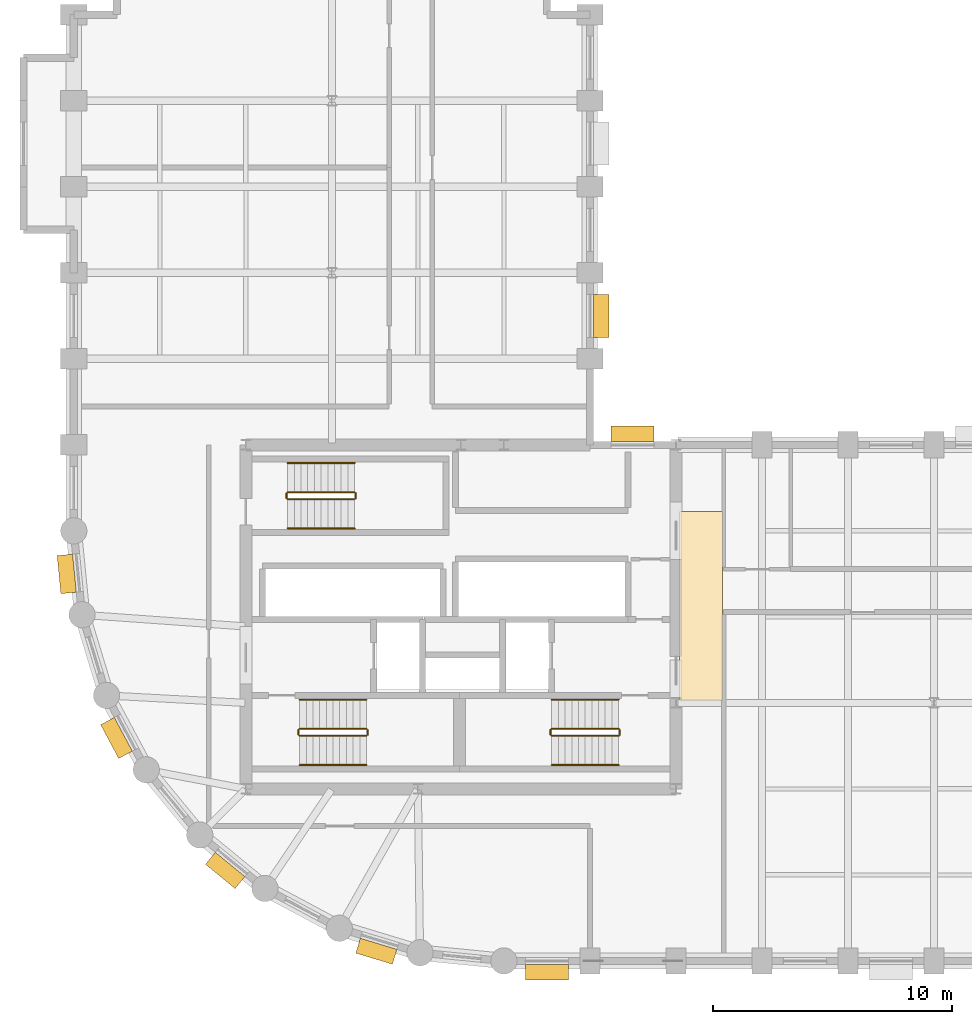
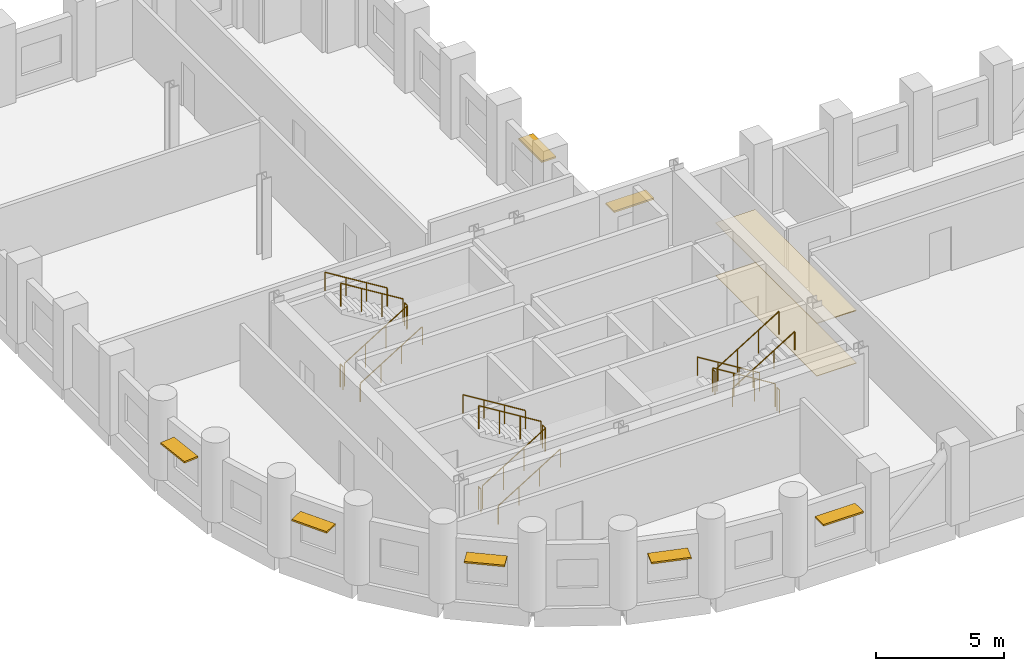
# One storey, part 7 of 8: 18 railings, 7 shading devices, 2 coverings.
"""IFC4 building model written with IfcOpenShell, lengths in metres."""

from ifc_helpers import new_model, si_unit, direction, frame, origin, origin_2d, place, context, subcontext, project, spatial, polyline, rectangle, circle, outline, extrude, material, layer, layer_set, type_object, element, save


model = new_model("IFC4")

# Units and contexts
model_context = context("Model", 3, precision=1e-05, world=origin(), true_north=direction((0.0, 1.0)))
body_context = subcontext(model_context, "Body", "Model", "MODEL_VIEW")
ifc_project = project(units=[si_unit("LENGTHUNIT", "METRE"), si_unit("AREAUNIT", "SQUARE_METRE"), si_unit("VOLUMEUNIT", "CUBIC_METRE"), si_unit("PLANEANGLEUNIT", "RADIAN"), si_unit("MASSUNIT", "GRAM", prefix="KILO")], contexts=[model_context])

# Site, building, storey
site_placement = place(None, origin())
site = spatial("IfcSite", under=ifc_project, at=site_placement, CompositionType="ELEMENT")
building_placement = place(site_placement, origin())
building = spatial("IfcBuilding", under=site, at=building_placement, Name="Solnavia Interchange Tower", CompositionType="ELEMENT")
storey_placement = place(building_placement, frame((0.0, 0.0, 120.0)))
storey = spatial("IfcBuildingStorey", under=building, at=storey_placement, Name="L29", CompositionType="ELEMENT", Elevation=120.0)

# Coverings
ifc_material_1 = material(Name="Perforated Mineral-Fibre & Gypsum Ceiling", Category="gypsum")
ifc_layer_1 = layer(ifc_material_1, 0.0400390625)
ifc_layer_set_1 = layer_set([ifc_layer_1], Name="Perforated Mineral-Fibre & Gypsum Ceiling")
covering_type_1 = type_object("IfcCoveringType", Name="Covering-Ceiling-Acoustic40", PredefinedType="CEILING", material=ifc_layer_set_1)
covering_1_placement = place(storey_placement, frame((0.0, 0.0, 2.5)))
element("IfcCovering", 1, at=covering_1_placement, inside=storey, type_object=covering_type_1, Name="CLG-L29-01 Circulation suspended acoustic ceiling", PredefinedType="CEILING", context=body_context, shape_type="SweptSolid", body=[
    extrude(outline(polyline([(32.550048828125, 14.5), (34.35009765625, 14.5), (34.35009765625, 22.39990234375), (32.550048828125, 22.39990234375), (32.550048828125, 14.5)])), origin(), (0.0, 0.0, 1.0), 0.0400390625),
])
ifc_material_2 = material(Name="Polished Alicante Stone Terrazzo", Category="masonry")
ifc_layer_2 = layer(ifc_material_2, 0.02490234375)
ifc_layer_set_2 = layer_set([ifc_layer_2], Name="Polished Alicante Stone Terrazzo")
covering_type_2 = type_object("IfcCoveringType", Name="Covering-Flooring-Terrazzo25", PredefinedType="FLOORING", material=ifc_layer_set_2)
covering_2_placement = place(storey_placement, origin())
element("IfcCovering", 2, at=covering_2_placement, inside=storey, type_object=covering_type_2, Name="FLR-L29-01 Circulation floor finish", PredefinedType="FLOORING", context=body_context, shape_type="SweptSolid", body=[
    extrude(outline(polyline([(32.550048828125, 14.5), (34.35009765625, 14.5), (34.35009765625, 22.39990234375), (32.550048828125, 22.39990234375), (32.550048828125, 14.5)])), origin(), (0.0, 0.0, 1.0), 0.02490234375),
])

# Railings
ifc_material_3 = material(Name="Painted Steel Balustrade", Category="steel")
railing_type_1 = type_object("IfcRailingType", Name="Railing-StairGuard-1100", PredefinedType="GUARDRAIL", material=ifc_material_3)
railing_1_placement = place(storey_placement, frame((16.64990234375, 13.02001953125, 0.172607421875)))
element("IfcRailing", 3, at=railing_1_placement, inside=storey, type_object=railing_type_1, Name="L29 ST-1 stair guard 1", PredefinedType="GUARDRAIL", context=body_context, shape_type="SweptSolid", body=[
    extrude(circle(Radius=0.02392578125, at=origin_2d()), frame((0.0, 0.0, 1.09619140625), z_axis=(0.851089632645, 0.0, 0.525020415988), x_axis=(0.0, 1.0, 0.0)), (0.0, 0.0, 1.0), 3.2900390625),
    extrude(circle(Radius=0.02099609375, at=origin_2d()), origin(), (0.0, 0.0, 1.0), 1.072021484375),
    extrude(circle(Radius=0.02099609375, at=origin_2d()), frame((0.933349609375, 0.0, 0.57568359375)), (0.0, 0.0, 1.0), 1.072021484375),
    extrude(circle(Radius=0.02099609375, at=origin_2d()), frame((1.86669921875, 0.0, 1.151611328125)), (0.0, 0.0, 1.0), 1.072021484375),
    extrude(circle(Radius=0.02099609375, at=origin_2d()), frame((2.800048828125, 0.0, 1.727294921875)), (0.0, 0.0, 1.0), 1.072021484375),
])
railing_2_placement = place(storey_placement, frame((19.5, 13.070068359375, 1.89990234375)))
element("IfcRailing", 4, at=railing_2_placement, inside=storey, type_object=railing_type_1, Name="L29 ST-1 stair guard 2", PredefinedType="GUARDRAIL", context=body_context, shape_type="SweptSolid", body=[
    extrude(circle(Radius=0.02392578125, at=origin_2d()), frame((0.0, 0.0, 1.09619140625), z_axis=(0.0, 1.0, 0.0), x_axis=(-1.0, 0.0, 0.0)), (0.0, 0.0, 1.0), 0.199951171875),
    extrude(circle(Radius=0.02099609375, at=origin_2d()), origin(), (0.0, 0.0, 1.0), 1.072021484375),
    extrude(circle(Radius=0.02099609375, at=origin_2d()), frame((0.0, 0.199951171875, 0.0)), (0.0, 0.0, 1.0), 1.072021484375),
])
railing_3_placement = place(storey_placement, frame((19.449951171875, 13.320068359375, 2.07275390625)))
element("IfcRailing", 5, at=railing_3_placement, inside=storey, type_object=railing_type_1, Name="L29 ST-1 stair guard 3", PredefinedType="GUARDRAIL", context=body_context, shape_type="SweptSolid", body=[
    extrude(circle(Radius=0.02392578125, at=origin_2d()), frame((0.0, 0.0, 1.09619140625), z_axis=(-0.851089632645, 0.0, 0.525020415988), x_axis=(0.0, -1.0, 0.0)), (0.0, 0.0, 1.0), 3.2900390625),
    extrude(circle(Radius=0.02099609375, at=origin_2d()), origin(), (0.0, 0.0, 1.0), 1.072021484375),
    extrude(circle(Radius=0.02099609375, at=origin_2d()), frame((-0.933349609375, 0.0, 0.57568359375)), (0.0, 0.0, 1.0), 1.072021484375),
    extrude(circle(Radius=0.02099609375, at=origin_2d()), frame((-1.86669921875, 0.0, 1.151611328125)), (0.0, 0.0, 1.0), 1.072021484375),
    extrude(circle(Radius=0.02099609375, at=origin_2d()), frame((-2.800048828125, 0.0, 1.727294921875)), (0.0, 0.0, 1.0), 1.072021484375),
])
railing_4_placement = place(storey_placement, frame((16.60009765625, 13.070068359375, 0.0)))
element("IfcRailing", 6, at=railing_4_placement, inside=storey, type_object=railing_type_1, Name="L29 ST-1 stair guard 4", PredefinedType="GUARDRAIL", context=body_context, shape_type="SweptSolid", body=[
    extrude(circle(Radius=0.02392578125, at=origin_2d()), frame((0.0, 0.0, 1.09619140625), z_axis=(0.0, 1.0, 0.0), x_axis=(-1.0, 0.0, 0.0)), (0.0, 0.0, 1.0), 0.199951171875),
    extrude(circle(Radius=0.02099609375, at=origin_2d()), origin(), (0.0, 0.0, 1.0), 1.072021484375),
    extrude(circle(Radius=0.02099609375, at=origin_2d()), frame((0.0, 0.199951171875, 0.0)), (0.0, 0.0, 1.0), 1.072021484375),
])
railing_5_placement = place(storey_placement, frame((30.0, 13.320068359375, 0.172607421875)))
element("IfcRailing", 7, at=railing_5_placement, inside=storey, type_object=railing_type_1, Name="L29 ST-2 stair guard 1", PredefinedType="GUARDRAIL", context=body_context, shape_type="SweptSolid", body=[
    extrude(circle(Radius=0.02392578125, at=origin_2d()), frame((0.0, 0.0, 1.09619140625), z_axis=(-0.851089632645, 0.0, 0.525020415988), x_axis=(0.0, -1.0, 0.0)), (0.0, 0.0, 1.0), 3.2900390625),
    extrude(circle(Radius=0.02099609375, at=origin_2d()), origin(), (0.0, 0.0, 1.0), 1.072021484375),
    extrude(circle(Radius=0.02099609375, at=origin_2d()), frame((-0.933349609375, 0.0, 0.57568359375)), (0.0, 0.0, 1.0), 1.072021484375),
    extrude(circle(Radius=0.02099609375, at=origin_2d()), frame((-1.86669921875, 0.0, 1.151611328125)), (0.0, 0.0, 1.0), 1.072021484375),
    extrude(circle(Radius=0.02099609375, at=origin_2d()), frame((-2.800048828125, 0.0, 1.727294921875)), (0.0, 0.0, 1.0), 1.072021484375),
])
railing_6_placement = place(storey_placement, frame((27.14990234375, 13.27001953125, 1.89990234375)))
element("IfcRailing", 8, at=railing_6_placement, inside=storey, type_object=railing_type_1, Name="L29 ST-2 stair guard 2", PredefinedType="GUARDRAIL", context=body_context, shape_type="SweptSolid", body=[
    extrude(circle(Radius=0.02392578125, at=origin_2d()), frame((0.0, 0.0, 1.09619140625), z_axis=(0.0, -1.0, 0.0), x_axis=(1.0, 0.0, 0.0)), (0.0, 0.0, 1.0), 0.199951171875),
    extrude(circle(Radius=0.02099609375, at=origin_2d()), origin(), (0.0, 0.0, 1.0), 1.072021484375),
    extrude(circle(Radius=0.02099609375, at=origin_2d()), frame((0.0, -0.199951171875, 0.0)), (0.0, 0.0, 1.0), 1.072021484375),
])
railing_7_placement = place(storey_placement, frame((27.199951171875, 13.02001953125, 2.07275390625)))
element("IfcRailing", 9, at=railing_7_placement, inside=storey, type_object=railing_type_1, Name="L29 ST-2 stair guard 3", PredefinedType="GUARDRAIL", context=body_context, shape_type="SweptSolid", body=[
    extrude(circle(Radius=0.02392578125, at=origin_2d()), frame((0.0, 0.0, 1.09619140625), z_axis=(0.851089632645, 0.0, 0.525020415988), x_axis=(0.0, 1.0, 0.0)), (0.0, 0.0, 1.0), 3.2900390625),
    extrude(circle(Radius=0.02099609375, at=origin_2d()), origin(), (0.0, 0.0, 1.0), 1.072021484375),
    extrude(circle(Radius=0.02099609375, at=origin_2d()), frame((0.933349609375, 0.0, 0.57568359375)), (0.0, 0.0, 1.0), 1.072021484375),
    extrude(circle(Radius=0.02099609375, at=origin_2d()), frame((1.86669921875, 0.0, 1.151611328125)), (0.0, 0.0, 1.0), 1.072021484375),
    extrude(circle(Radius=0.02099609375, at=origin_2d()), frame((2.800048828125, 0.0, 1.727294921875)), (0.0, 0.0, 1.0), 1.072021484375),
])
railing_8_placement = place(storey_placement, frame((30.050048828125, 13.27001953125, 0.0)))
element("IfcRailing", 10, at=railing_8_placement, inside=storey, type_object=railing_type_1, Name="L29 ST-2 stair guard 4", PredefinedType="GUARDRAIL", context=body_context, shape_type="SweptSolid", body=[
    extrude(circle(Radius=0.02392578125, at=origin_2d()), frame((0.0, 0.0, 1.09619140625), z_axis=(0.0, -1.0, 0.0), x_axis=(1.0, 0.0, 0.0)), (0.0, 0.0, 1.0), 0.199951171875),
    extrude(circle(Radius=0.02099609375, at=origin_2d()), origin(), (0.0, 0.0, 1.0), 1.072021484375),
    extrude(circle(Radius=0.02099609375, at=origin_2d()), frame((0.0, -0.199951171875, 0.0)), (0.0, 0.0, 1.0), 1.072021484375),
])
railing_9_placement = place(storey_placement, frame((16.14990234375, 22.919921875, 0.172607421875)))
element("IfcRailing", 11, at=railing_9_placement, inside=storey, type_object=railing_type_1, Name="L29 ST-3 stair guard 1", PredefinedType="GUARDRAIL", context=body_context, shape_type="SweptSolid", body=[
    extrude(circle(Radius=0.02392578125, at=origin_2d()), frame((0.0, 0.0, 1.09619140625), z_axis=(0.851089632645, 0.0, 0.525020415988), x_axis=(0.0, 1.0, 0.0)), (0.0, 0.0, 1.0), 3.2900390625),
    extrude(circle(Radius=0.02099609375, at=origin_2d()), origin(), (0.0, 0.0, 1.0), 1.072021484375),
    extrude(circle(Radius=0.02099609375, at=origin_2d()), frame((0.933349609375, 0.0, 0.57568359375)), (0.0, 0.0, 1.0), 1.072021484375),
    extrude(circle(Radius=0.02099609375, at=origin_2d()), frame((1.86669921875, 0.0, 1.151611328125)), (0.0, 0.0, 1.0), 1.072021484375),
    extrude(circle(Radius=0.02099609375, at=origin_2d()), frame((2.800048828125, 0.0, 1.727294921875)), (0.0, 0.0, 1.0), 1.072021484375),
])
railing_10_placement = place(storey_placement, frame((19.0, 22.969970703125, 1.89990234375)))
element("IfcRailing", 12, at=railing_10_placement, inside=storey, type_object=railing_type_1, Name="L29 ST-3 stair guard 2", PredefinedType="GUARDRAIL", context=body_context, shape_type="SweptSolid", body=[
    extrude(circle(Radius=0.02392578125, at=origin_2d()), frame((0.0, 0.0, 1.09619140625), z_axis=(0.0, 1.0, 0.0), x_axis=(-1.0, 0.0, 0.0)), (0.0, 0.0, 1.0), 0.199951171875),
    extrude(circle(Radius=0.02099609375, at=origin_2d()), origin(), (0.0, 0.0, 1.0), 1.072021484375),
    extrude(circle(Radius=0.02099609375, at=origin_2d()), frame((0.0, 0.199951171875, 0.0)), (0.0, 0.0, 1.0), 1.072021484375),
])
railing_11_placement = place(storey_placement, frame((18.949951171875, 23.219970703125, 2.07275390625)))
element("IfcRailing", 13, at=railing_11_placement, inside=storey, type_object=railing_type_1, Name="L29 ST-3 stair guard 3", PredefinedType="GUARDRAIL", context=body_context, shape_type="SweptSolid", body=[
    extrude(circle(Radius=0.02392578125, at=origin_2d()), frame((0.0, 0.0, 1.09619140625), z_axis=(-0.851089632645, 0.0, 0.525020415988), x_axis=(0.0, -1.0, 0.0)), (0.0, 0.0, 1.0), 3.2900390625),
    extrude(circle(Radius=0.02099609375, at=origin_2d()), origin(), (0.0, 0.0, 1.0), 1.072021484375),
    extrude(circle(Radius=0.02099609375, at=origin_2d()), frame((-0.933349609375, 0.0, 0.57568359375)), (0.0, 0.0, 1.0), 1.072021484375),
    extrude(circle(Radius=0.02099609375, at=origin_2d()), frame((-1.86669921875, 0.0, 1.151611328125)), (0.0, 0.0, 1.0), 1.072021484375),
    extrude(circle(Radius=0.02099609375, at=origin_2d()), frame((-2.800048828125, 0.0, 1.727294921875)), (0.0, 0.0, 1.0), 1.072021484375),
])
railing_12_placement = place(storey_placement, frame((16.10009765625, 22.969970703125, 0.0)))
element("IfcRailing", 14, at=railing_12_placement, inside=storey, type_object=railing_type_1, Name="L29 ST-3 stair guard 4", PredefinedType="GUARDRAIL", context=body_context, shape_type="SweptSolid", body=[
    extrude(circle(Radius=0.02392578125, at=origin_2d()), frame((0.0, 0.0, 1.09619140625), z_axis=(0.0, 1.0, 0.0), x_axis=(-1.0, 0.0, 0.0)), (0.0, 0.0, 1.0), 0.199951171875),
    extrude(circle(Radius=0.02099609375, at=origin_2d()), origin(), (0.0, 0.0, 1.0), 1.072021484375),
    extrude(circle(Radius=0.02099609375, at=origin_2d()), frame((0.0, 0.199951171875, 0.0)), (0.0, 0.0, 1.0), 1.072021484375),
])
ifc_material_4 = material(Name="Brushed Stainless Steel", Category="steel")
railing_type_2 = type_object("IfcRailingType", Name="Railing-StairHandrail-900", PredefinedType="HANDRAIL", material=ifc_material_4)
railing_13_placement = place(storey_placement, frame((16.64990234375, 11.800048828125, 0.172607421875)))
element("IfcRailing", 15, at=railing_13_placement, inside=storey, type_object=railing_type_2, Name="L29 ST-1 stair handrail 1", PredefinedType="HANDRAIL", context=body_context, shape_type="SweptSolid", body=[
    extrude(circle(Radius=0.02392578125, at=origin_2d()), frame((0.0, 0.0, 0.8759765625), z_axis=(0.851089632645, 0.0, 0.525020415988), x_axis=(0.0, 1.0, 0.0)), (0.0, 0.0, 1.0), 3.2900390625),
    extrude(circle(Radius=0.02099609375, at=origin_2d()), origin(), (0.0, 0.0, 1.0), 0.851806640625),
    extrude(circle(Radius=0.02099609375, at=origin_2d()), frame((0.933349609375, 0.0, 0.57568359375)), (0.0, 0.0, 1.0), 0.851806640625),
    extrude(circle(Radius=0.02099609375, at=origin_2d()), frame((1.86669921875, 0.0, 1.151611328125)), (0.0, 0.0, 1.0), 0.851806640625),
    extrude(circle(Radius=0.02099609375, at=origin_2d()), frame((2.800048828125, 0.0, 1.727294921875)), (0.0, 0.0, 1.0), 0.851806640625),
])
for number, where, name in (
    (16, (19.449951171875, 14.5400390625, 2.07275390625), "L29 ST-1 stair handrail 2"),
    (17, (30.0, 14.5400390625, 0.172607421875), "L29 ST-2 stair handrail 1"),
):
    element("IfcRailing", number, at=place(storey_placement, frame(where)), inside=storey, type_object=railing_type_2, Name=name, PredefinedType="HANDRAIL", context=body_context, shape_type="SweptSolid", body=[
        extrude(circle(Radius=0.02392578125, at=origin_2d()), frame((0.0, 0.0, 0.8759765625), z_axis=(-0.851089632645, 0.0, 0.525020415988), x_axis=(0.0, -1.0, 0.0)), (0.0, 0.0, 1.0), 3.2900390625),
        extrude(circle(Radius=0.02099609375, at=origin_2d()), origin(), (0.0, 0.0, 1.0), 0.851806640625),
        extrude(circle(Radius=0.02099609375, at=origin_2d()), frame((-0.933349609375, 0.0, 0.57568359375)), (0.0, 0.0, 1.0), 0.851806640625),
        extrude(circle(Radius=0.02099609375, at=origin_2d()), frame((-1.86669921875, 0.0, 1.151611328125)), (0.0, 0.0, 1.0), 0.851806640625),
        extrude(circle(Radius=0.02099609375, at=origin_2d()), frame((-2.800048828125, 0.0, 1.727294921875)), (0.0, 0.0, 1.0), 0.851806640625),
    ])
for number, where, name in (
    (18, (27.199951171875, 11.800048828125, 2.07275390625), "L29 ST-2 stair handrail 2"),
    (19, (16.14990234375, 21.699951171875, 0.172607421875), "L29 ST-3 stair handrail 1"),
):
    element("IfcRailing", number, at=place(storey_placement, frame(where)), inside=storey, type_object=railing_type_2, Name=name, PredefinedType="HANDRAIL", context=body_context, shape_type="SweptSolid", body=[
        extrude(circle(Radius=0.02392578125, at=origin_2d()), frame((0.0, 0.0, 0.8759765625), z_axis=(0.851089632645, 0.0, 0.525020415988), x_axis=(0.0, 1.0, 0.0)), (0.0, 0.0, 1.0), 3.2900390625),
        extrude(circle(Radius=0.02099609375, at=origin_2d()), origin(), (0.0, 0.0, 1.0), 0.851806640625),
        extrude(circle(Radius=0.02099609375, at=origin_2d()), frame((0.933349609375, 0.0, 0.57568359375)), (0.0, 0.0, 1.0), 0.851806640625),
        extrude(circle(Radius=0.02099609375, at=origin_2d()), frame((1.86669921875, 0.0, 1.151611328125)), (0.0, 0.0, 1.0), 0.851806640625),
        extrude(circle(Radius=0.02099609375, at=origin_2d()), frame((2.800048828125, 0.0, 1.727294921875)), (0.0, 0.0, 1.0), 0.851806640625),
    ])
railing_14_placement = place(storey_placement, frame((18.949951171875, 24.43994140625, 2.07275390625)))
element("IfcRailing", 20, at=railing_14_placement, inside=storey, type_object=railing_type_2, Name="L29 ST-3 stair handrail 2", PredefinedType="HANDRAIL", context=body_context, shape_type="SweptSolid", body=[
    extrude(circle(Radius=0.02392578125, at=origin_2d()), frame((0.0, 0.0, 0.8759765625), z_axis=(-0.851089632645, 0.0, 0.525020415988), x_axis=(0.0, -1.0, 0.0)), (0.0, 0.0, 1.0), 3.2900390625),
    extrude(circle(Radius=0.02099609375, at=origin_2d()), origin(), (0.0, 0.0, 1.0), 0.851806640625),
    extrude(circle(Radius=0.02099609375, at=origin_2d()), frame((-0.933349609375, 0.0, 0.57568359375)), (0.0, 0.0, 1.0), 0.851806640625),
    extrude(circle(Radius=0.02099609375, at=origin_2d()), frame((-1.86669921875, 0.0, 1.151611328125)), (0.0, 0.0, 1.0), 0.851806640625),
    extrude(circle(Radius=0.02099609375, at=origin_2d()), frame((-2.800048828125, 0.0, 1.727294921875)), (0.0, 0.0, 1.0), 0.851806640625),
])

# Shading devices
ifc_material_5 = material(Name="Anodised Aluminium Sunshade", Category="aluminium")
ifc_layer_3 = layer(ifc_material_5, 0.080078125)
ifc_layer_set_3 = layer_set([ifc_layer_3], Name="Anodised Aluminium Sunshade")
shading_device_type = type_object("IfcShadingDeviceType", Name="Sunshade-Band-650", PredefinedType="SHUTTER", material=ifc_layer_set_3)
for number, where, z_axis, x_axis, name in (
    (21, (27.0, 3.1298828125, 2.219970703125), (0.0, 0.0, 1.0), (-1.0, 0.0, 0.0), "SHD-L29-01 Horizontal sunshade band"),
    (22, (30.583984375, 25.669921875, 2.219970703125), (0.0, 0.0, 1.0), (1.0, 0.0, 0.0), "SHD-L29-27 Horizontal sunshade band"),
    (23, (29.27001953125, 30.60009765625, 2.219970703125), (0.0, 0.0, 1.0), (0.0, -1.0, 0.0), "SHD-L29-29 Horizontal sunshade band"),
):
    element("IfcShadingDevice", number, at=place(storey_placement, frame(where, z_axis=z_axis, x_axis=x_axis)), inside=storey, type_object=shading_device_type, Name=name, PredefinedType="SHUTTER", context=body_context, shape_type="SweptSolid", body=[
        extrude(rectangle(XDim=1.800048828125, YDim=0.64990234375, at=origin_2d()), origin(), (0.0, 0.0, 1.0), 0.080078125),
    ])
for number, where, z_axis, x_axis, name in (
    (24, (6.9052734375, 19.79833984375, 2.219970703125), (0.0, 0.0, 1.0), (-0.098103986207, 0.995176169274, 0.0), "SHD-L29-55 Horizontal sunshade band"),
    (25, (8.98779296875, 12.93408203125, 2.219970703125), (0.0, 0.0, 1.0), (-0.47147369718, 0.881880123865, 0.0), "SHD-L29-57 Horizontal sunshade band"),
    (26, (13.5380859375, 7.389404296875, 2.219970703125), (0.0, 0.0, 1.0), (-0.773176510644, 0.634190888762, 0.0), "SHD-L29-59 Horizontal sunshade band"),
    (27, (19.863525390625, 4.00830078125, 2.219970703125), (0.0, 0.0, 1.0), (-0.956965664205, 0.290201167351, 0.0), "SHD-L29-61 Horizontal sunshade band"),
):
    element("IfcShadingDevice", number, at=place(storey_placement, frame(where, z_axis=z_axis, x_axis=x_axis)), inside=storey, type_object=shading_device_type, Name=name, PredefinedType="SHUTTER", context=body_context, shape_type="SweptSolid", body=[
        extrude(rectangle(XDim=1.60009765625, YDim=0.64990234375, at=origin_2d()), origin(), (0.0, 0.0, 1.0), 0.080078125),
    ])

save(model, "model.ifc")
